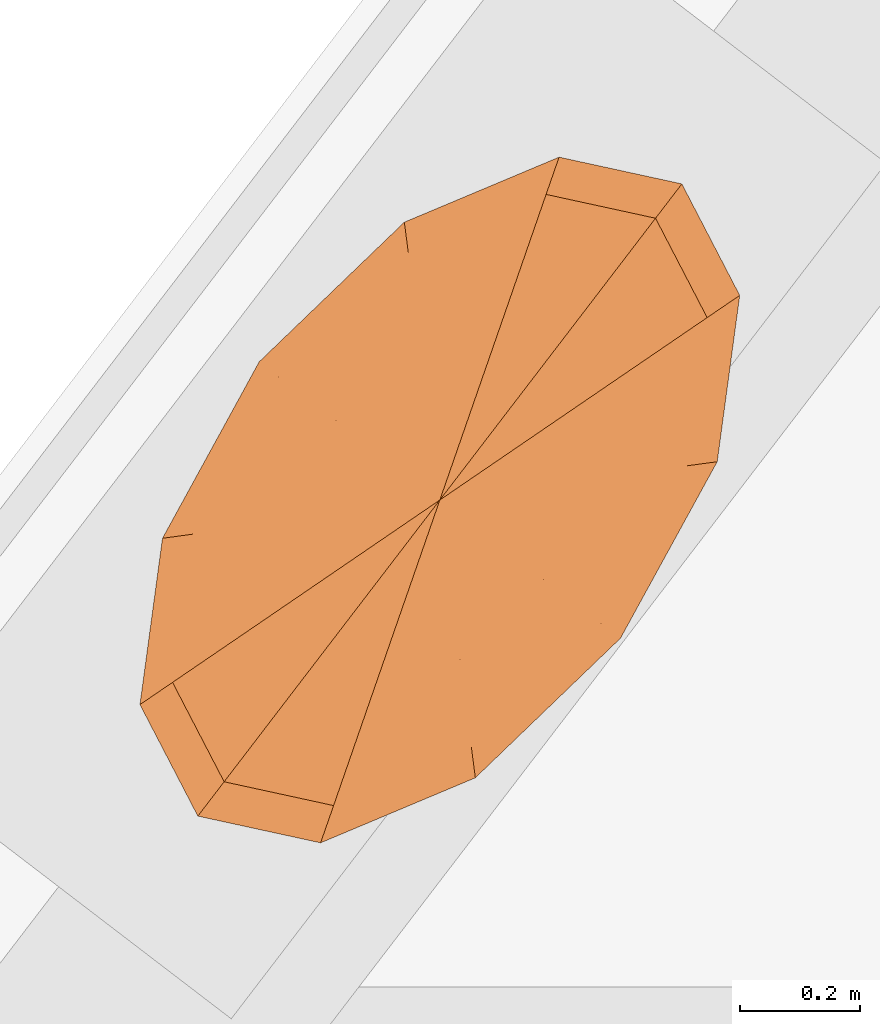
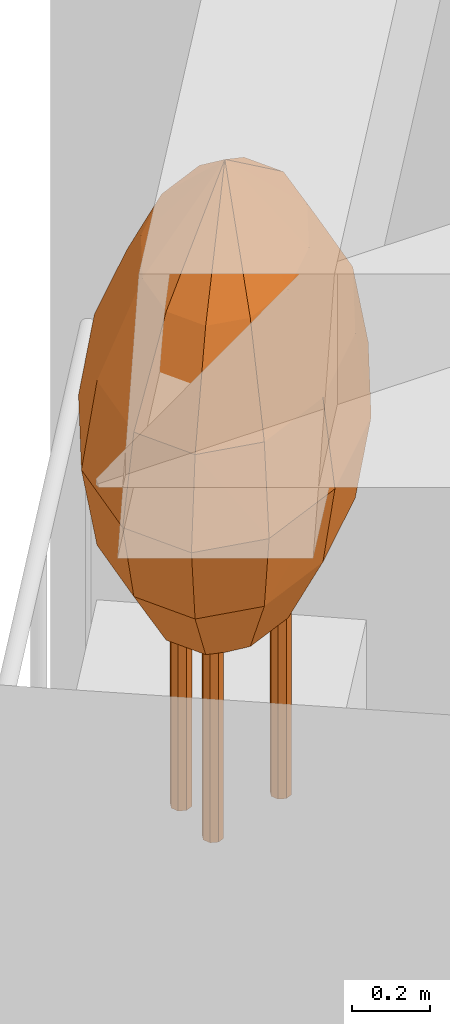
# One storey, part 11 of 11: 1 geographic element.
"""IFC4 building model written with IfcOpenShell, lengths in metres."""

from ifc_helpers import new_model, si_unit, direction, frame, origin, place, context, subcontext, project, spatial, faceted_brep, material, constituent, constituent_set, type_object, element, save


model = new_model("IFC4")

# Units and contexts
model_context = context("Model", 3, precision=1e-05, world=origin(), true_north=direction((0.0, 1.0)))
body_context = subcontext(model_context, "Body", "Model", "MODEL_VIEW")
ifc_project = project(units=[si_unit("LENGTHUNIT", "METRE"), si_unit("AREAUNIT", "SQUARE_METRE"), si_unit("VOLUMEUNIT", "CUBIC_METRE"), si_unit("PLANEANGLEUNIT", "RADIAN"), si_unit("MASSUNIT", "GRAM", prefix="KILO")], contexts=[model_context])

# Site, building, storey
site_placement = place(None, origin())
site = spatial("IfcSite", under=ifc_project, at=site_placement, CompositionType="ELEMENT")
building_placement = place(site_placement, origin())
building = spatial("IfcBuilding", under=site, at=building_placement, Name="Taillehof Tower", CompositionType="ELEMENT")
storey_placement = place(building_placement, frame((0.0, 0.0, 155.0)))
storey = spatial("IfcBuildingStorey", under=building, at=storey_placement, Name="L43", CompositionType="ELEMENT", Elevation=155.0)

# Geographic element
ifc_material_1 = material(Name="Tree bark", Category="timber")
ifc_constituent_1 = constituent(ifc_material_1, Name="Trunk", Category="timber")
ifc_material_2 = material(Name="Tree foliage")
ifc_constituent_2 = constituent(ifc_material_2, Name="Crown")
ifc_constituent_set = constituent_set(constituents=[ifc_constituent_1, ifc_constituent_2], Name="Tree TR3 Multi-stem serviceberry")
geographic_element_type = type_object("IfcGeographicElementType", Name="Tree TR3 Multi-stem serviceberry", PredefinedType="USERDEFINED", material=ifc_constituent_set)
geographic_element_placement = place(storey_placement, frame((-19.1455078125, 12.438720703125, 0.75)))
element("IfcGeographicElement", 1, at=geographic_element_placement, inside=storey, type_object=geographic_element_type, Name="Tree TR3 Multi-stem serviceberry", ObjectType="TREE", PredefinedType="USERDEFINED", context=body_context, shape_type="Brep", body=[
    faceted_brep([(0.195068359375, 0.0, 0.0), (0.186767578125, 0.0205078125, 0.0), (0.186767578125, 0.0205078125, 1.04248046875), (0.195068359375, 0.0, 1.04248046875), (0.166259765625, 0.02880859375, 0.0), (0.166259765625, 0.02880859375, 1.04248046875), (0.145751953125, 0.0205078125, 0.0), (0.145751953125, 0.0205078125, 1.04248046875), (0.137451171875, 0.0, 0.0), (0.137451171875, 0.0, 1.04248046875), (0.145751953125, -0.0205078125, 0.0), (0.145751953125, -0.0205078125, 1.04248046875), (0.166259765625, -0.02880859375, 0.0), (0.166259765625, -0.02880859375, 1.04248046875), (0.186767578125, -0.0205078125, 0.0), (0.186767578125, -0.0205078125, 1.04248046875)], [[[0, 1, 2, 3]], [[1, 4, 5, 2]], [[4, 6, 7, 5]], [[6, 8, 9, 7]], [[8, 10, 11, 9]], [[10, 12, 13, 11]], [[12, 14, 15, 13]], [[14, 0, 3, 15]], [[14, 12, 10, 8, 6, 4, 1, 0]], [[3, 2, 5, 7, 9, 11, 13, 15]]]),
    faceted_brep([(-0.05419921875, 0.082275390625, 0.0), (-0.062744140625, 0.102783203125, 0.0), (-0.062744140625, 0.102783203125, 1.04248046875), (-0.05419921875, 0.082275390625, 1.04248046875), (-0.0830078125, 0.111083984375, 0.0), (-0.0830078125, 0.111083984375, 1.04248046875), (-0.103515625, 0.102783203125, 0.0), (-0.103515625, 0.102783203125, 1.04248046875), (-0.112060546875, 0.082275390625, 0.0), (-0.112060546875, 0.082275390625, 1.04248046875), (-0.103515625, 0.061767578125, 0.0), (-0.103515625, 0.061767578125, 1.04248046875), (-0.0830078125, 0.053466796875, 0.0), (-0.0830078125, 0.053466796875, 1.04248046875), (-0.062744140625, 0.061767578125, 0.0), (-0.062744140625, 0.061767578125, 1.04248046875)], [[[0, 1, 2, 3]], [[1, 4, 5, 2]], [[4, 6, 7, 5]], [[6, 8, 9, 7]], [[8, 10, 11, 9]], [[10, 12, 13, 11]], [[12, 14, 15, 13]], [[14, 0, 3, 15]], [[14, 12, 10, 8, 6, 4, 1, 0]], [[3, 2, 5, 7, 9, 11, 13, 15]]]),
    faceted_brep([(-0.05419921875, -0.082275390625, 0.0), (-0.062744140625, -0.061767578125, 0.0), (-0.062744140625, -0.061767578125, 1.04248046875), (-0.05419921875, -0.082275390625, 1.04248046875), (-0.0830078125, -0.053466796875, 0.0), (-0.0830078125, -0.053466796875, 1.04248046875), (-0.103515625, -0.061767578125, 0.0), (-0.103515625, -0.061767578125, 1.04248046875), (-0.112060546875, -0.082275390625, 0.0), (-0.112060546875, -0.082275390625, 1.04248046875), (-0.103515625, -0.102783203125, 0.0), (-0.103515625, -0.102783203125, 1.04248046875), (-0.0830078125, -0.111083984375, 0.0), (-0.0830078125, -0.111083984375, 1.04248046875), (-0.062744140625, -0.102783203125, 0.0), (-0.062744140625, -0.102783203125, 1.04248046875)], [[[0, 1, 2, 3]], [[1, 4, 5, 2]], [[4, 6, 7, 5]], [[6, 8, 9, 7]], [[8, 10, 11, 9]], [[10, 12, 13, 11]], [[12, 14, 15, 13]], [[14, 0, 3, 15]], [[14, 12, 10, 8, 6, 4, 1, 0]], [[3, 2, 5, 7, 9, 11, 13, 15]]]),
    faceted_brep([(0.0, 0.0, 0.5), (-0.114501953125, -0.3291015625, 0.75830078125), (-0.232177734375, -0.30322265625, 0.75830078125), (0.033935546875, -0.2666015625, 0.75830078125), (0.17333984375, -0.132568359375, 0.75830078125), (0.26611328125, 0.036865234375, 0.75830078125), (0.28759765625, 0.1962890625, 0.75830078125), (0.232177734375, 0.30322265625, 0.75830078125), (0.114501953125, 0.3291015625, 0.75830078125), (-0.033935546875, 0.2666015625, 0.75830078125), (-0.17333984375, 0.132568359375, 0.75830078125), (-0.26611328125, -0.036865234375, 0.75830078125), (-0.28759765625, -0.1962890625, 0.75830078125), (-0.177490234375, -0.510498046875, 1.0166015625), (-0.3603515625, -0.470703125, 1.0166015625), (0.052734375, -0.41357421875, 1.0166015625), (0.26904296875, -0.205810546875, 1.0166015625), (0.4130859375, 0.05712890625, 1.0166015625), (0.446533203125, 0.3046875, 1.0166015625), (0.3603515625, 0.470703125, 1.0166015625), (0.177490234375, 0.510498046875, 1.0166015625), (-0.052734375, 0.41357421875, 1.0166015625), (-0.26904296875, 0.205810546875, 1.0166015625), (-0.4130859375, -0.05712890625, 1.0166015625), (-0.446533203125, -0.3046875, 1.0166015625), (-0.19921875, -0.57275390625, 1.27490234375), (-0.404296875, -0.528076171875, 1.27490234375), (0.059326171875, -0.464111328125, 1.27490234375), (0.3017578125, -0.23095703125, 1.27490234375), (0.46337890625, 0.06396484375, 1.27490234375), (0.5009765625, 0.341796875, 1.27490234375), (0.404296875, 0.528076171875, 1.27490234375), (0.19921875, 0.57275390625, 1.27490234375), (-0.059326171875, 0.464111328125, 1.27490234375), (-0.3017578125, 0.23095703125, 1.27490234375), (-0.46337890625, -0.06396484375, 1.27490234375), (-0.5009765625, -0.341796875, 1.27490234375), (-0.177490234375, -0.510498046875, 1.533447265625), (-0.3603515625, -0.470703125, 1.533447265625), (0.052734375, -0.41357421875, 1.533447265625), (0.26904296875, -0.205810546875, 1.533447265625), (0.4130859375, 0.05712890625, 1.533447265625), (0.446533203125, 0.3046875, 1.533447265625), (0.3603515625, 0.470703125, 1.533447265625), (0.177490234375, 0.510498046875, 1.533447265625), (-0.052734375, 0.41357421875, 1.533447265625), (-0.26904296875, 0.205810546875, 1.533447265625), (-0.4130859375, -0.05712890625, 1.533447265625), (-0.446533203125, -0.3046875, 1.533447265625), (-0.114501953125, -0.3291015625, 1.791748046875), (-0.232177734375, -0.30322265625, 1.791748046875), (0.033935546875, -0.2666015625, 1.791748046875), (0.17333984375, -0.132568359375, 1.791748046875), (0.26611328125, 0.036865234375, 1.791748046875), (0.28759765625, 0.1962890625, 1.791748046875), (0.232177734375, 0.30322265625, 1.791748046875), (0.114501953125, 0.3291015625, 1.791748046875), (-0.033935546875, 0.2666015625, 1.791748046875), (-0.17333984375, 0.132568359375, 1.791748046875), (-0.26611328125, -0.036865234375, 1.791748046875), (-0.28759765625, -0.1962890625, 1.791748046875), (0.0, 0.0, 2.050048828125)], [[[0, 1, 2]], [[0, 3, 1]], [[0, 4, 3]], [[0, 5, 4]], [[0, 6, 5]], [[0, 7, 6]], [[0, 8, 7]], [[0, 9, 8]], [[0, 10, 9]], [[0, 11, 10]], [[0, 12, 11]], [[0, 2, 12]], [[2, 1, 13, 14]], [[1, 3, 15, 13]], [[3, 4, 16, 15]], [[4, 5, 17, 16]], [[5, 6, 18, 17]], [[6, 7, 19, 18]], [[7, 8, 20, 19]], [[8, 9, 21, 20]], [[9, 10, 22, 21]], [[10, 11, 23, 22]], [[11, 12, 24, 23]], [[12, 2, 14, 24]], [[14, 13, 25, 26]], [[13, 15, 27, 25]], [[15, 16, 28, 27]], [[16, 17, 29, 28]], [[17, 18, 30, 29]], [[18, 19, 31, 30]], [[19, 20, 32, 31]], [[20, 21, 33, 32]], [[21, 22, 34, 33]], [[22, 23, 35, 34]], [[23, 24, 36, 35]], [[24, 14, 26, 36]], [[26, 25, 37, 38]], [[25, 27, 39, 37]], [[27, 28, 40, 39]], [[28, 29, 41, 40]], [[29, 30, 42, 41]], [[30, 31, 43, 42]], [[31, 32, 44, 43]], [[32, 33, 45, 44]], [[33, 34, 46, 45]], [[34, 35, 47, 46]], [[35, 36, 48, 47]], [[36, 26, 38, 48]], [[38, 37, 49, 50]], [[37, 39, 51, 49]], [[39, 40, 52, 51]], [[40, 41, 53, 52]], [[41, 42, 54, 53]], [[42, 43, 55, 54]], [[43, 44, 56, 55]], [[44, 45, 57, 56]], [[45, 46, 58, 57]], [[46, 47, 59, 58]], [[47, 48, 60, 59]], [[48, 38, 50, 60]], [[50, 49, 61]], [[49, 51, 61]], [[51, 52, 61]], [[52, 53, 61]], [[53, 54, 61]], [[54, 55, 61]], [[55, 56, 61]], [[56, 57, 61]], [[57, 58, 61]], [[58, 59, 61]], [[59, 60, 61]], [[60, 50, 61]]]),
])

save(model, "model.ifc")
